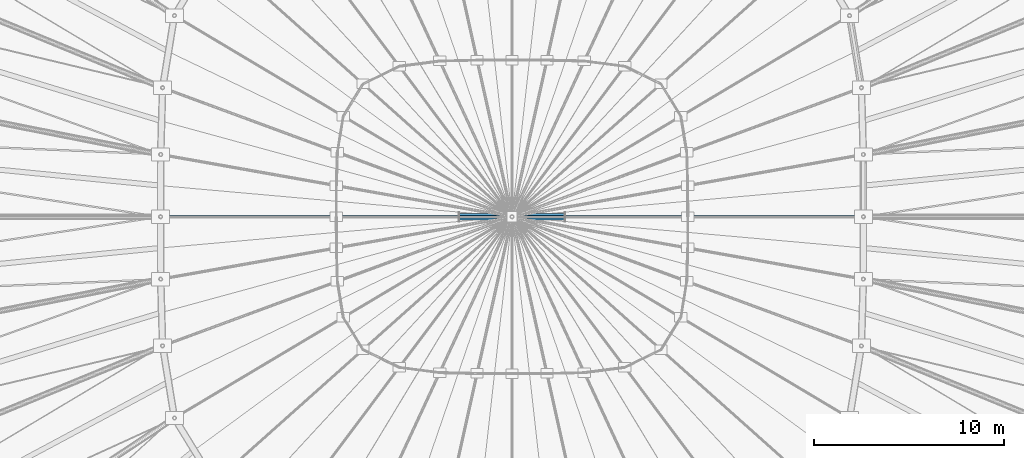
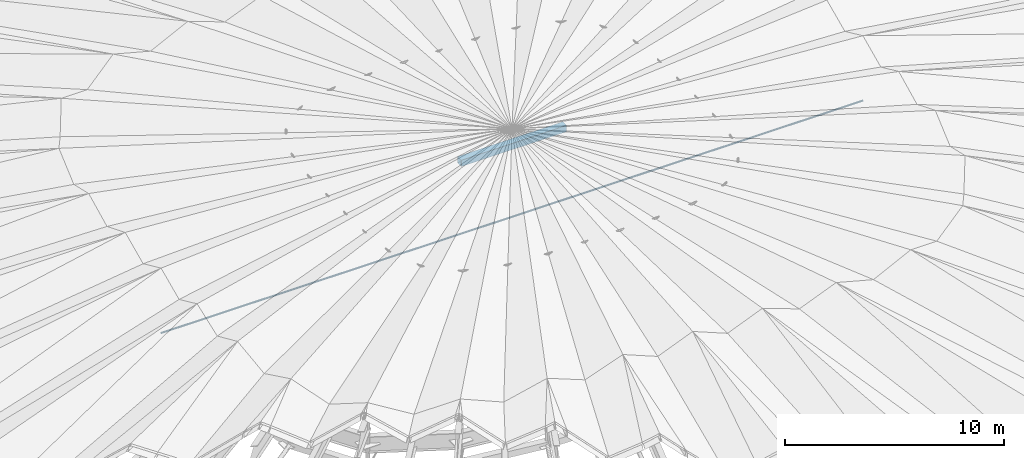
# One storey, part 10 of 41: 2 members.
"""IFC4 building model written with IfcOpenShell, lengths in metres."""

from ifc_helpers import new_model, si_unit, direction, frame, origin, origin_2d, place, context, subcontext, project, spatial, hollow_rectangle, circle, extrude, material, material_profile, profile_set, type_object, element, save


model = new_model("IFC4")

# Units and contexts
model_context = context("Model", 3, precision=1e-05, world=origin(), true_north=direction((0.0, 1.0)))
body_context = subcontext(model_context, "Body", "Model", "MODEL_VIEW")
ifc_project = project(units=[si_unit("LENGTHUNIT", "METRE"), si_unit("AREAUNIT", "SQUARE_METRE"), si_unit("VOLUMEUNIT", "CUBIC_METRE"), si_unit("PLANEANGLEUNIT", "RADIAN"), si_unit("MASSUNIT", "GRAM", prefix="KILO")], contexts=[model_context])

# Site, building, storey
site_placement = place(None, origin())
site = spatial("IfcSite", under=ifc_project, at=site_placement, CompositionType="ELEMENT")
building_placement = place(site_placement, origin())
building = spatial("IfcBuilding", under=site, at=building_placement, Name="Luwafu Chhajja Arena", CompositionType="ELEMENT")
storey_placement = place(building_placement, frame((0.0, 0.0, 29.699951171875)))
storey = spatial("IfcBuildingStorey", under=building, at=storey_placement, Name="RF", CompositionType="ELEMENT", Elevation=29.699951171875)

# Members
ifc_material_1 = material(Name="Steel S460", Category="steel")
ifc_material_profile_1 = material_profile(ifc_material_1, circle(Radius=0.047607421875, at=origin_2d()), Name="CABLE D95")
ifc_profile_set_1 = profile_set([ifc_material_profile_1], Name="Steel S460")
member_type_1 = type_object("IfcMemberType", Name="Oculus Radial Stabilizing Cable D95", PredefinedType="USERDEFINED", material=ifc_profile_set_1)
member_1_placement = place(storey_placement, frame((117.5, 49.5, 4.10009765625), z_axis=(-1.0, 0.0, 0.0), x_axis=(0.0, -1.0, 0.0)))
element("IfcMember", 1, at=member_1_placement, inside=storey, type_object=member_type_1, Name="Cable net primary continuous stabilizing cable CBS-01", ObjectType="CABLE", PredefinedType="USERDEFINED", context=body_context, shape_type="SweptSolid", body=[
    extrude(circle(Radius=0.047607421875, at=origin_2d()), origin(), (0.0, 0.0, 1.0), 37.0),
])
ifc_material_2 = material(Name="Steel S355", Category="steel")
ifc_material_profile_2 = material_profile(ifc_material_2, hollow_rectangle(XDim=0.35009765625, YDim=0.35009765625, WallThickness=0.01611328125, at=origin_2d()), Name="SHS 350x350x16")
ifc_profile_set_2 = profile_set([ifc_material_profile_2], Name="Steel S355")
member_type_2 = type_object("IfcMemberType", Name="Ring Stabilizing Truss Chord SHS 350", PredefinedType="CHORD", material=ifc_profile_set_2)
member_2_placement = place(storey_placement, frame((101.77490234375, 49.5, 8.150146484375), z_axis=(-1.0, 0.0, 0.0), x_axis=(0.0, -1.0, 0.0)))
element("IfcMember", 2, at=member_2_placement, inside=storey, type_object=member_type_2, Name="Cable Net Central Hub Collar Beam", PredefinedType="CHORD", context=body_context, shape_type="SweptSolid", body=[
    extrude(hollow_rectangle(XDim=0.35009765625, YDim=0.35009765625, WallThickness=0.01611328125, at=origin_2d()), origin(), (0.0, 0.0, 1.0), 5.5498046875),
])

save(model, "model.ifc")
